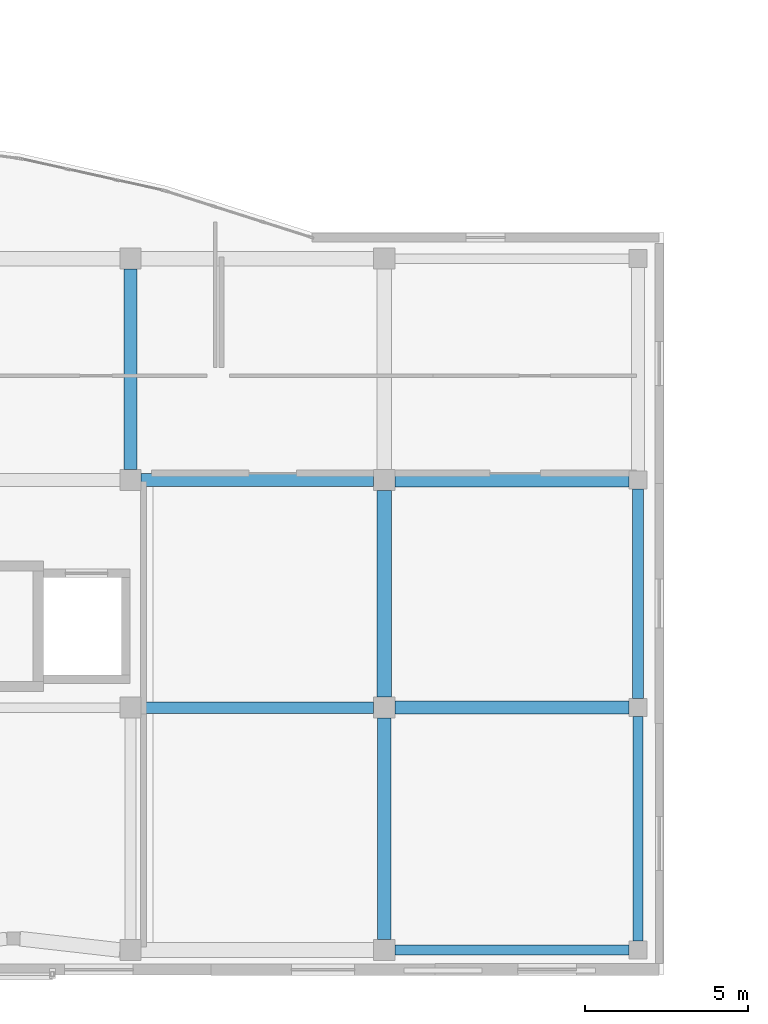
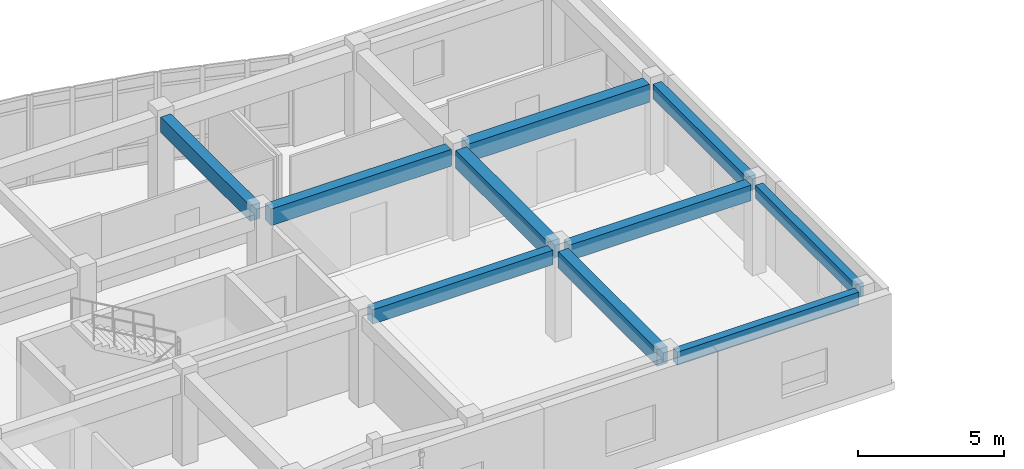
# One storey, part 59 of 146: 10 beams.
"""IFC4 building model written with IfcOpenShell, lengths in metres."""

from ifc_helpers import new_model, si_unit, direction, frame, origin, origin_2d, place, context, subcontext, project, spatial, rectangle, extrude, material, material_profile, profile_set, type_object, element, save


model = new_model("IFC4")

# Units and contexts
model_context = context("Model", 3, precision=1e-05, world=origin(), true_north=direction((0.0, 1.0)))
body_context = subcontext(model_context, "Body", "Model", "MODEL_VIEW")
ifc_project = project(units=[si_unit("LENGTHUNIT", "METRE"), si_unit("AREAUNIT", "SQUARE_METRE"), si_unit("VOLUMEUNIT", "CUBIC_METRE"), si_unit("PLANEANGLEUNIT", "RADIAN"), si_unit("MASSUNIT", "GRAM", prefix="KILO")], contexts=[model_context])

# Site, building, storey
site_placement = place(None, origin())
site = spatial("IfcSite", under=ifc_project, at=site_placement, CompositionType="ELEMENT")
building_placement = place(site_placement, origin())
building = spatial("IfcBuilding", under=site, at=building_placement, Name="Valcora Specialist Clinic", CompositionType="ELEMENT")
storey_placement = place(building_placement, frame((0.0, 0.0, 9.52001953125)))
storey = spatial("IfcBuildingStorey", under=building, at=storey_placement, Name="L02", CompositionType="ELEMENT", Elevation=9.52001953125)

# Beams
ifc_material = material(Name="Concrete C40/50", Category="concrete")
ifc_material_profile_1 = material_profile(ifc_material, rectangle(XDim=0.300048828125, YDim=0.550048828125, at=origin_2d()), Name="RC-BM-300X550")
ifc_profile_set_1 = profile_set([ifc_material_profile_1], Name="Concrete C40/50")
beam_type_1 = type_object("IfcBeamType", Name="TY-BM-RC300X550", PredefinedType="BEAM", material=ifc_profile_set_1)
beam_1_placement = place(storey_placement, frame((107.52490234375, 0.75, 3.5048828125), z_axis=(1.0, 0.0, 0.0), x_axis=(0.0, 1.0, 0.0)))
element("IfcBeam", 1, at=beam_1_placement, inside=storey, type_object=beam_type_1, Name="Beam BM-L02-1369", PredefinedType="BEAM", context=body_context, shape_type="SweptSolid", body=[
    extrude(rectangle(XDim=0.300048828125, YDim=0.550048828125, at=origin_2d()), origin(), (0.0, 0.0, 1.0), 7.2001953125),
])
beam_2_placement = place(storey_placement, frame((115.0, 1.02490234375, 3.5048828125), z_axis=(0.0, 1.0, 0.0), x_axis=(-1.0, 0.0, 0.0)))
element("IfcBeam", 2, at=beam_2_placement, inside=storey, type_object=beam_type_1, Name="Beam BM-L02-1415", PredefinedType="BEAM", context=body_context, shape_type="SweptSolid", body=[
    extrude(rectangle(XDim=0.300048828125, YDim=0.550048828125, at=origin_2d()), origin(), (0.0, 0.0, 1.0), 6.900146484375),
])
ifc_material_profile_2 = material_profile(ifc_material, rectangle(XDim=0.35009765625, YDim=0.60009765625, at=origin_2d()), Name="RC-BM-350X600")
ifc_profile_set_2 = profile_set([ifc_material_profile_2], Name="Concrete C40/50")
beam_type_2 = type_object("IfcBeamType", Name="TY-BM-RC350X600", PredefinedType="BEAM", material=ifc_profile_set_2)
beam_3_placement = place(storey_placement, frame((99.72509765625, 8.199951171875, 3.47998046875), z_axis=(1.0, 0.0, 0.0), x_axis=(0.0, 1.0, 0.0)))
element("IfcBeam", 3, at=beam_3_placement, inside=storey, type_object=beam_type_2, Name="Beam BM-L02-1376", PredefinedType="BEAM", context=body_context, shape_type="SweptSolid", body=[
    extrude(rectangle(XDim=0.35009765625, YDim=0.60009765625, at=origin_2d()), origin(), (0.0, 0.0, 1.0), 7.14990234375),
])
beam_4_placement = place(storey_placement, frame((115.0, 8.47509765625, 3.47998046875), z_axis=(0.0, 1.0, 0.0), x_axis=(-1.0, 0.0, 0.0)))
element("IfcBeam", 4, at=beam_4_placement, inside=storey, type_object=beam_type_2, Name="Beam BM-L02-1416", PredefinedType="BEAM", context=body_context, shape_type="SweptSolid", body=[
    extrude(rectangle(XDim=0.35009765625, YDim=0.60009765625, at=origin_2d()), origin(), (0.0, 0.0, 1.0), 6.449951171875),
])
ifc_material_profile_3 = material_profile(ifc_material, rectangle(XDim=0.39990234375, YDim=0.64990234375, at=origin_2d()), Name="RC-BM-400X650")
ifc_profile_set_3 = profile_set([ifc_material_profile_3], Name="Concrete C40/50")
beam_type_3 = type_object("IfcBeamType", Name="TY-BM-RC400X650", PredefinedType="BEAM", material=ifc_profile_set_3)
beam_5_placement = place(storey_placement, frame((107.52490234375, 8.199951171875, 3.455078125), z_axis=(1.0, 0.0, 0.0), x_axis=(0.0, 1.0, 0.0)))
element("IfcBeam", 5, at=beam_5_placement, inside=storey, type_object=beam_type_3, Name="Beam BM-L02-1377", PredefinedType="BEAM", context=body_context, shape_type="SweptSolid", body=[
    extrude(rectangle(XDim=0.39990234375, YDim=0.64990234375, at=origin_2d()), origin(), (0.0, 0.0, 1.0), 7.2001953125),
])
beam_6_placement = place(storey_placement, frame((99.39990234375, 15.52490234375, 3.455078125), z_axis=(0.0, 1.0, 0.0), x_axis=(-1.0, 0.0, 0.0)))
element("IfcBeam", 6, at=beam_6_placement, inside=storey, type_object=beam_type_3, Name="Beam BM-L02-1411", PredefinedType="BEAM", context=body_context, shape_type="SweptSolid", body=[
    extrude(rectangle(XDim=0.39990234375, YDim=0.64990234375, at=origin_2d()), origin(), (0.0, 0.0, 1.0), 6.150146484375),
])
ifc_material_profile_4 = material_profile(ifc_material, rectangle(XDim=0.39990234375, YDim=0.699951171875, at=origin_2d()), Name="RC-BM-400X700")
ifc_profile_set_4 = profile_set([ifc_material_profile_4], Name="Concrete C40/50")
beam_type_4 = type_object("IfcBeamType", Name="TY-BM-RC400X700", PredefinedType="BEAM", material=ifc_profile_set_4)
beam_7_placement = place(storey_placement, frame((99.72509765625, 15.199951171875, 3.429931640625), z_axis=(1.0, 0.0, 0.0), x_axis=(0.0, 1.0, 0.0)))
element("IfcBeam", 7, at=beam_7_placement, inside=storey, type_object=beam_type_4, Name="Beam BM-L02-1384", PredefinedType="BEAM", context=body_context, shape_type="SweptSolid", body=[
    extrude(rectangle(XDim=0.39990234375, YDim=0.699951171875, at=origin_2d()), origin(), (0.0, 0.0, 1.0), 7.14990234375),
])
beam_8_placement = place(storey_placement, frame((107.199951171875, 1.074951171875, 3.429931640625), z_axis=(0.0, 1.0, 0.0), x_axis=(-1.0, 0.0, 0.0)))
element("IfcBeam", 8, at=beam_8_placement, inside=storey, type_object=beam_type_4, Name="Beam BM-L02-1412", PredefinedType="BEAM", context=body_context, shape_type="SweptSolid", body=[
    extrude(rectangle(XDim=0.39990234375, YDim=0.699951171875, at=origin_2d()), origin(), (0.0, 0.0, 1.0), 6.800048828125),
])
ifc_material_profile_5 = material_profile(ifc_material, rectangle(XDim=0.449951171875, YDim=0.75, at=origin_2d()), Name="RC-BM-450X750")
ifc_profile_set_5 = profile_set([ifc_material_profile_5], Name="Concrete C40/50")
beam_type_5 = type_object("IfcBeamType", Name="TY-BM-RC450X750", PredefinedType="BEAM", material=ifc_profile_set_5)
beam_9_placement = place(storey_placement, frame((107.52490234375, 15.199951171875, 3.405029296875), z_axis=(1.0, 0.0, 0.0), x_axis=(0.0, 1.0, 0.0)))
element("IfcBeam", 9, at=beam_9_placement, inside=storey, type_object=beam_type_5, Name="Beam BM-L02-1385", PredefinedType="BEAM", context=body_context, shape_type="SweptSolid", body=[
    extrude(rectangle(XDim=0.449951171875, YDim=0.75, at=origin_2d()), origin(), (0.0, 0.0, 1.0), 7.2001953125),
])
beam_10_placement = place(storey_placement, frame((107.199951171875, 8.52490234375, 3.405029296875), z_axis=(0.0, 1.0, 0.0), x_axis=(-1.0, 0.0, 0.0)))
element("IfcBeam", 10, at=beam_10_placement, inside=storey, type_object=beam_type_5, Name="Beam BM-L02-1413", PredefinedType="BEAM", context=body_context, shape_type="SweptSolid", body=[
    extrude(rectangle(XDim=0.449951171875, YDim=0.75, at=origin_2d()), origin(), (0.0, 0.0, 1.0), 6.35009765625),
])

save(model, "model.ifc")
